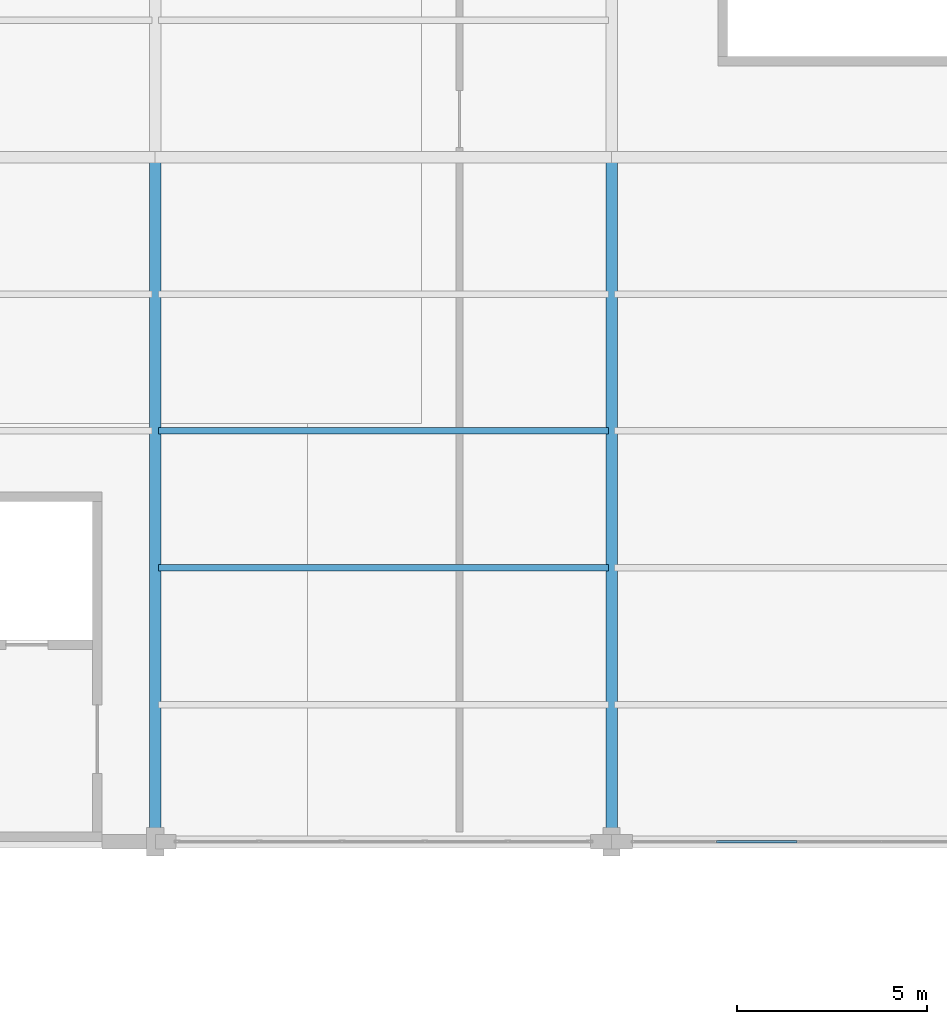
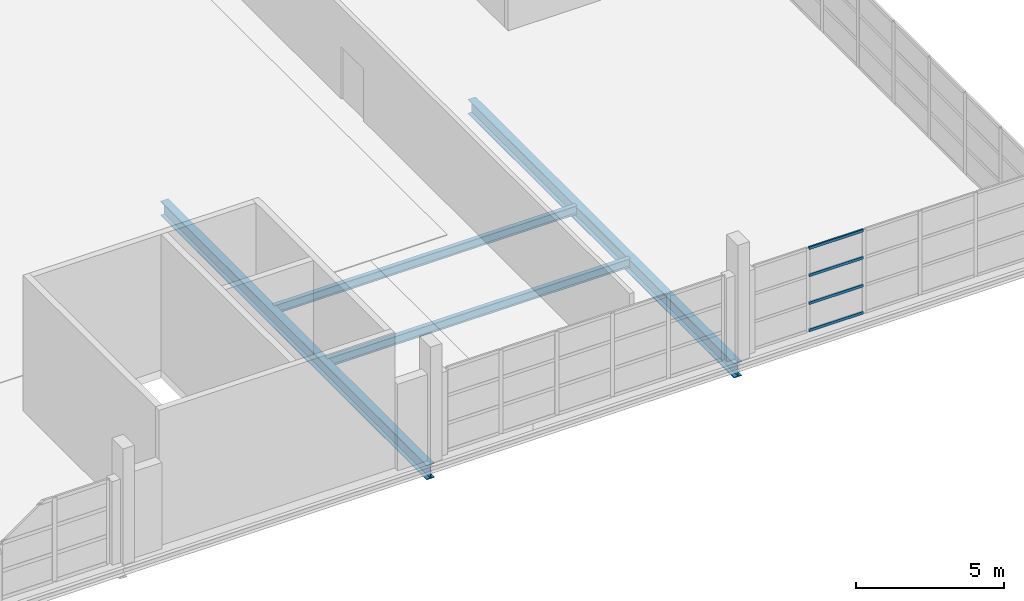
# One storey, part 36 of 86: 4 beams, 4 members, 1 element without a shape of its own.
"""IFC4 building model written with IfcOpenShell, lengths in metres."""

from ifc_helpers import new_model, si_unit, direction, frame, origin, origin_2d, place, context, subcontext, project, spatial, hollow_rectangle, i_section, extrude, material, layer, layer_set, material_profile, profile_set, type_object, element, aggregate, save


model = new_model("IFC4")

# Units and contexts
model_context = context("Model", 3, precision=1e-05, world=origin(), true_north=direction((0.0, 1.0)))
body_context = subcontext(model_context, "Body", "Model", "MODEL_VIEW")
ifc_project = project(units=[si_unit("LENGTHUNIT", "METRE"), si_unit("AREAUNIT", "SQUARE_METRE"), si_unit("VOLUMEUNIT", "CUBIC_METRE"), si_unit("PLANEANGLEUNIT", "RADIAN"), si_unit("MASSUNIT", "GRAM", prefix="KILO")], contexts=[model_context])

# Site, building, storey
site_placement = place(None, origin())
site = spatial("IfcSite", under=ifc_project, at=site_placement, CompositionType="ELEMENT")
building_placement = place(site_placement, origin())
building = spatial("IfcBuilding", under=site, at=building_placement, Name="Zilviju Railside Exhibition Hall", CompositionType="ELEMENT")
storey_placement = place(building_placement, frame((0.0, 0.0, 12.60009765625)))
storey = spatial("IfcBuildingStorey", under=building, at=storey_placement, Name="L04", CompositionType="ELEMENT", Elevation=12.60009765625)

# Beams
ifc_material_1 = material(Name="Steel S355J2", Category="steel")
ifc_material_profile_1 = material_profile(ifc_material_1, i_section(OverallWidth=0.300048828125, OverallDepth=0.60009765625, WebThickness=0.015380859375, FlangeThickness=0.030029296875, at=origin_2d()), Name="HEB 600")
ifc_profile_set_1 = profile_set([ifc_material_profile_1], Name="Steel S355J2")
beam_type_1 = type_object("IfcBeamType", Name="BM-HEB600", PredefinedType="BEAM", material=ifc_profile_set_1)
for number, where, z_axis, x_axis, name in (
    (1, (192.0, 84.0, -0.630126953125), (0.0, 1.0, 0.0), (-1.0, 0.0, 0.0), "Transverse Girder L04 X=192.0 (84.0..102.0)"),
    (2, (204.0, 84.0, -0.630126953125), (0.0, 1.0, 0.0), (-1.0, 0.0, 0.0), "Transverse Girder L04 X=204.0 (84.0..102.0)"),
):
    element("IfcBeam", number, at=place(storey_placement, frame(where, z_axis=z_axis, x_axis=x_axis)), inside=storey, type_object=beam_type_1, Name=name, PredefinedType="BEAM", context=body_context, shape_type="SweptSolid", body=[
        extrude(i_section(OverallWidth=0.300048828125, OverallDepth=0.60009765625, WebThickness=0.015380859375, FlangeThickness=0.030029296875, at=origin_2d()), origin(), (0.0, 0.0, 1.0), 18.0),
    ])
ifc_material_profile_2 = material_profile(ifc_material_1, i_section(OverallWidth=0.169921875, OverallDepth=0.360107421875, WebThickness=0.008056640625, FlangeThickness=0.0126953125, at=origin_2d()), Name="IPE 360")
ifc_profile_set_2 = profile_set([ifc_material_profile_2], Name="Steel S355J2")
beam_type_2 = type_object("IfcBeamType", Name="BM-IPE360", PredefinedType="JOIST", material=ifc_profile_set_2)
for number, where, z_axis, x_axis, name in (
    (3, (192.080078125, 91.199951171875, -0.510009765625), (1.0, 0.0, 0.0), (0.0, 1.0, 0.0), "Composite Floor Joist L04 Y=91.20 (192.0..204.0)"),
    (4, (192.080078125, 94.800048828125, -0.510009765625), (1.0, 0.0, 0.0), (0.0, 1.0, 0.0), "Composite Floor Joist L04 Y=94.80 (192.0..204.0)"),
):
    element("IfcBeam", number, at=place(storey_placement, frame(where, z_axis=z_axis, x_axis=x_axis)), inside=storey, type_object=beam_type_2, Name=name, PredefinedType="JOIST", context=body_context, shape_type="SweptSolid", body=[
        extrude(i_section(OverallWidth=0.169921875, OverallDepth=0.360107421875, WebThickness=0.008056640625, FlangeThickness=0.0126953125, at=origin_2d()), origin(), (0.0, 0.0, 1.0), 11.83984375),
    ])

# Curtain wall, members
ifc_material_2 = material(Name="Thermally broken aluminium-steel triple-glazed curtain wall", Category="steel")
ifc_layer = layer(ifc_material_2, 0.179931640625)
ifc_layer_set = layer_set([ifc_layer], Name="Thermally broken aluminium-steel triple-glazed curtain wall")
curtain_wall_type = type_object("IfcCurtainWallType", Name="CW-BAY-19", PredefinedType="USERDEFINED", material=ifc_layer_set)
curtain_wall_placement = place(storey_placement, origin())
curtain_wall = element("IfcCurtainWall", 5, at=curtain_wall_placement, inside=storey, type_object=curtain_wall_type, Name="North Hall Garden Court Curtain Wall L04 (204..216)", ObjectType="GLAZED CURTAIN WALL", PredefinedType="USERDEFINED")
ifc_material_3 = material(Name="Thermally broken anodized aluminium transom", Category="aluminium")
ifc_material_profile_3 = material_profile(ifc_material_3, hollow_rectangle(XDim=0.06005859375, YDim=0.110107421875, WallThickness=0.0048828125, at=origin_2d()), Name="TRANSOM 110x60x5")
ifc_profile_set_3 = profile_set([ifc_material_profile_3], Name="Thermally broken anodized aluminium transom")
member_type = type_object("IfcMemberType", Name="CWT-60x110", PredefinedType="USERDEFINED", material=ifc_profile_set_3)
member_1_placement = place(storey_placement, frame((208.8798828125, 84.0, 0.02978515625), z_axis=(-1.0, 0.0, 0.0), x_axis=(0.0, -1.0, 0.0)))
member_1 = element("IfcMember", 6, at=member_1_placement, type_object=member_type, Name="CW-19 transom 4.1", ObjectType="TRANSOM", PredefinedType="USERDEFINED", context=body_context, shape_type="SweptSolid", body=[
    extrude(hollow_rectangle(XDim=0.06005859375, YDim=0.110107421875, WallThickness=0.0048828125, at=origin_2d()), origin(), (0.0, 0.0, 1.0), 2.119873046875),
])
member_2_placement = place(storey_placement, frame((208.8798828125, 84.0, 1.14990234375), z_axis=(-1.0, 0.0, 0.0), x_axis=(0.0, -1.0, 0.0)))
member_2 = element("IfcMember", 7, at=member_2_placement, type_object=member_type, Name="CW-19 transom 4.2", ObjectType="TRANSOM", PredefinedType="USERDEFINED", context=body_context, shape_type="SweptSolid", body=[
    extrude(hollow_rectangle(XDim=0.06005859375, YDim=0.110107421875, WallThickness=0.0048828125, at=origin_2d()), origin(), (0.0, 0.0, 1.0), 2.119873046875),
])
member_3_placement = place(storey_placement, frame((208.8798828125, 84.0, 2.2998046875), z_axis=(-1.0, 0.0, 0.0), x_axis=(0.0, -1.0, 0.0)))
member_3 = element("IfcMember", 8, at=member_3_placement, type_object=member_type, Name="CW-19 transom 4.3", ObjectType="TRANSOM", PredefinedType="USERDEFINED", context=body_context, shape_type="SweptSolid", body=[
    extrude(hollow_rectangle(XDim=0.06005859375, YDim=0.110107421875, WallThickness=0.0048828125, at=origin_2d()), origin(), (0.0, 0.0, 1.0), 2.119873046875),
])
member_4_placement = place(storey_placement, frame((208.8798828125, 84.0, 3.419921875), z_axis=(-1.0, 0.0, 0.0), x_axis=(0.0, -1.0, 0.0)))
member_4 = element("IfcMember", 9, at=member_4_placement, type_object=member_type, Name="CW-19 transom 4.4", ObjectType="TRANSOM", PredefinedType="USERDEFINED", context=body_context, shape_type="SweptSolid", body=[
    extrude(hollow_rectangle(XDim=0.06005859375, YDim=0.110107421875, WallThickness=0.0048828125, at=origin_2d()), origin(), (0.0, 0.0, 1.0), 2.119873046875),
])
aggregate(curtain_wall, [member_1, member_2, member_3, member_4])

save(model, "model.ifc")
